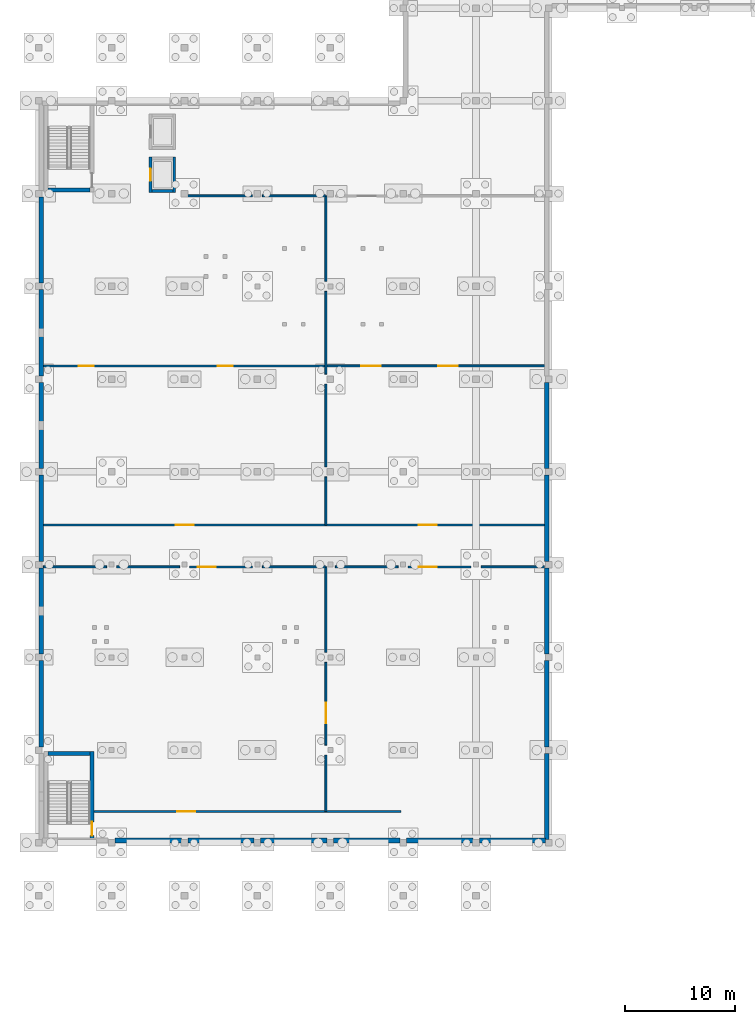
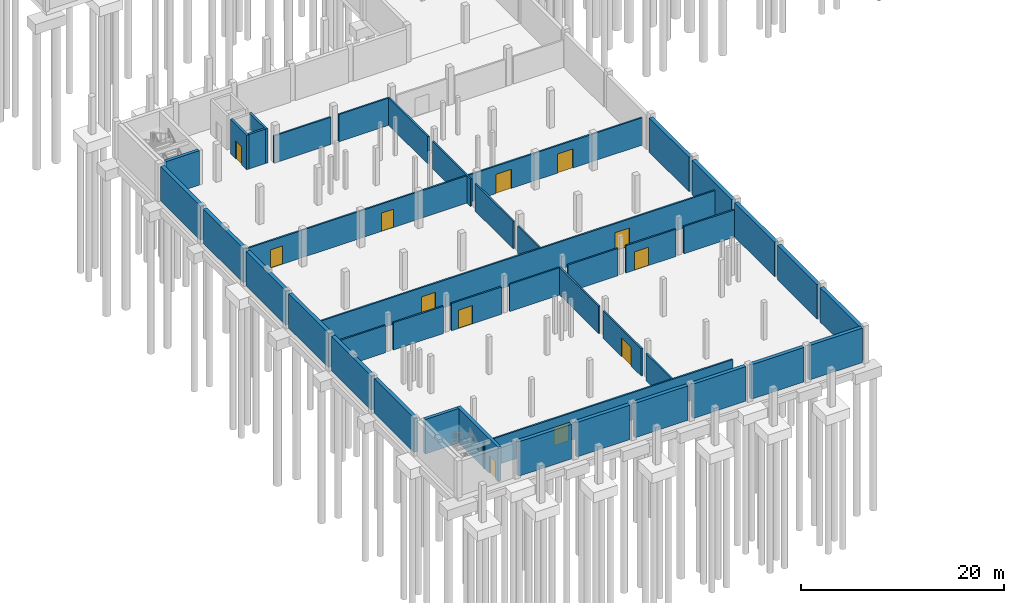
# One storey, part 13 of 25: 43 walls, 12 doors, 12 openings.
"""IFC4 building model written with IfcOpenShell, lengths in metres."""

from ifc_helpers import new_model, si_unit, direction, frame, frame_2d, origin, place, context, subcontext, project, spatial, rectangle, extrude, material, layer, layer_set, type_object, element, fill, save


model = new_model("IFC4")

# Units and contexts
model_context = context("Model", 3, precision=1e-05, world=origin(), true_north=direction((0.0, 1.0)))
body_context = subcontext(model_context, "Body", "Model", "MODEL_VIEW")
ifc_project = project(units=[si_unit("LENGTHUNIT", "METRE"), si_unit("AREAUNIT", "SQUARE_METRE"), si_unit("VOLUMEUNIT", "CUBIC_METRE"), si_unit("PLANEANGLEUNIT", "RADIAN"), si_unit("MASSUNIT", "GRAM", prefix="KILO")], contexts=[model_context])

# Site, building, storey
site_placement = place(None, origin())
site = spatial("IfcSite", under=ifc_project, at=site_placement, CompositionType="ELEMENT")
building_placement = place(site_placement, origin())
building = spatial("IfcBuilding", under=site, at=building_placement, Name="Qaldarim Faculty of Natural and Applied Sciences", CompositionType="ELEMENT")
storey_placement = place(building_placement, frame((0.0, 0.0, -4.5)))
storey = spatial("IfcBuildingStorey", under=building, at=storey_placement, Name="B01", CompositionType="ELEMENT", Elevation=-4.5)

# Walls
ifc_material_1 = material(Name="Concrete C40/50", Category="concrete")
ifc_layer_1 = layer(ifc_material_1, 0.419921875)
ifc_layer_set_1 = layer_set([ifc_layer_1], Name="Concrete C40/50")
wall_type_1 = type_object("IfcWallType", Name="BasementRetainingWall-420", PredefinedType="SOLIDWALL", material=ifc_layer_set_1)
wall_1_placement = place(storey_placement, frame((0.2099609375, 33.304931640625, 0.0), z_axis=(0.0, 0.0, 1.0), x_axis=(0.0, -1.0, 0.0)))
element("IfcWall", 1, at=wall_1_placement, inside=storey, type_object=wall_type_1, Name="Basement retaining wall W X01Y04", PredefinedType="SOLIDWALL", context=body_context, shape_type="SweptSolid", body=[
    extrude(rectangle(XDim=7.809814453125, YDim=0.419921875, at=frame_2d((3.90478515625, 0.0))), origin(), (0.0, 0.0, 1.0), 4.139892578125),
])
for number, where, z_axis, x_axis, name in (
    (2, (0.2099609375, 41.705078125, 0.0), (0.0, 0.0, 1.0), (0.0, -1.0, 0.0), "Basement retaining wall W X01Y05"),
    (3, (0.2099609375, 50.10498046875, 0.0), (0.0, 0.0, 1.0), (0.0, -1.0, 0.0), "Basement retaining wall W X01Y06"),
):
    element("IfcWall", number, at=place(storey_placement, frame(where, z_axis=z_axis, x_axis=x_axis)), inside=storey, type_object=wall_type_1, Name=name, PredefinedType="SOLIDWALL", context=body_context, shape_type="SweptSolid", body=[
        extrude(rectangle(XDim=7.81005859375, YDim=0.419921875, at=frame_2d((3.905029296875, 0.0))), origin(), (0.0, 0.0, 1.0), 4.139892578125),
    ])
wall_2_placement = place(storey_placement, frame((0.2099609375, 58.5048828125, 0.0), z_axis=(0.0, 0.0, 1.0), x_axis=(0.0, -1.0, 0.0)))
element("IfcWall", 4, at=wall_2_placement, inside=storey, type_object=wall_type_1, Name="Basement retaining wall W X01Y07", PredefinedType="SOLIDWALL", context=body_context, shape_type="SweptSolid", body=[
    extrude(rectangle(XDim=7.809814453125, YDim=0.419921875, at=frame_2d((3.90478515625, 0.0))), origin(), (0.0, 0.0, 1.0), 4.139892578125),
])
wall_3_placement = place(storey_placement, frame((0.2099609375, 66.905029296875, 0.0), z_axis=(0.0, 0.0, 1.0), x_axis=(0.0, -1.0, 0.0)))
element("IfcWall", 5, at=wall_3_placement, inside=storey, type_object=wall_type_1, Name="Basement retaining wall W X01Y08", PredefinedType="SOLIDWALL", context=body_context, shape_type="SweptSolid", body=[
    extrude(rectangle(XDim=7.81005859375, YDim=0.419921875, at=frame_2d((3.905029296875, 0.0))), origin(), (0.0, 0.0, 1.0), 4.139892578125),
])
wall_4_placement = place(storey_placement, frame((0.2099609375, 75.304931640625, 0.0), z_axis=(0.0, 0.0, 1.0), x_axis=(0.0, -1.0, 0.0)))
element("IfcWall", 6, at=wall_4_placement, inside=storey, type_object=wall_type_1, Name="Basement retaining wall W X01Y09", PredefinedType="SOLIDWALL", context=body_context, shape_type="SweptSolid", body=[
    extrude(rectangle(XDim=7.809814453125, YDim=0.419921875, at=frame_2d((3.90478515625, 0.0))), origin(), (0.0, 0.0, 1.0), 4.139892578125),
])
wall_5_placement = place(storey_placement, frame((6.89501953125, 17.010009765625, 0.0), z_axis=(0.0, 0.0, 1.0), x_axis=(1.0, 0.0, 0.0)))
element("IfcWall", 7, at=wall_5_placement, inside=storey, type_object=wall_type_1, Name="Basement retaining wall S X02Y03", PredefinedType="SOLIDWALL", context=body_context, shape_type="SweptSolid", body=[
    extrude(rectangle(XDim=6.010009765625, YDim=0.419921875, at=frame_2d((3.0048828125, 0.0))), origin(), (0.0, 0.0, 1.0), 4.139892578125),
])
wall_6_placement = place(storey_placement, frame((13.4951171875, 17.010009765625, 0.0), z_axis=(0.0, 0.0, 1.0), x_axis=(1.0, 0.0, 0.0)))
element("IfcWall", 8, at=wall_6_placement, inside=storey, type_object=wall_type_1, Name="Basement retaining wall S X03Y03", PredefinedType="SOLIDWALL", context=body_context, shape_type="SweptSolid", body=[
    extrude(rectangle(XDim=6.009765625, YDim=0.419921875, at=frame_2d((3.0048828125, 0.0))), origin(), (0.0, 0.0, 1.0), 4.139892578125),
])
for number, where, z_axis, x_axis, name in (
    (9, (20.094970703125, 17.010009765625, 0.0), (0.0, 0.0, 1.0), (1.0, 0.0, 0.0), "Basement retaining wall S X04Y03"),
    (10, (26.695068359375, 17.010009765625, 0.0), (0.0, 0.0, 1.0), (1.0, 0.0, 0.0), "Basement retaining wall S X05Y03"),
    (11, (33.294921875, 17.010009765625, 0.0), (0.0, 0.0, 1.0), (1.0, 0.0, 0.0), "Basement retaining wall S X06Y03"),
    (12, (39.89501953125, 17.010009765625, 0.0), (0.0, 0.0, 1.0), (1.0, 0.0, 0.0), "Basement retaining wall S X07Y03"),
):
    element("IfcWall", number, at=place(storey_placement, frame(where, z_axis=z_axis, x_axis=x_axis)), inside=storey, type_object=wall_type_1, Name=name, PredefinedType="SOLIDWALL", context=body_context, shape_type="SweptSolid", body=[
        extrude(rectangle(XDim=6.010009765625, YDim=0.419921875, at=frame_2d((3.0048828125, 0.0))), origin(), (0.0, 0.0, 1.0), 4.139892578125),
    ])
wall_7_placement = place(storey_placement, frame((45.989990234375, 17.094970703125, 0.0), z_axis=(0.0, 0.0, 1.0), x_axis=(0.0, 1.0, 0.0)))
element("IfcWall", 13, at=wall_7_placement, inside=storey, type_object=wall_type_1, Name="Basement retaining wall E X07Y03", PredefinedType="SOLIDWALL", context=body_context, shape_type="SweptSolid", body=[
    extrude(rectangle(XDim=7.81005859375, YDim=0.419921875, at=frame_2d((3.905029296875, 0.0))), origin(), (0.0, 0.0, 1.0), 4.139892578125),
])
wall_8_placement = place(storey_placement, frame((45.989990234375, 25.4951171875, 0.0), z_axis=(0.0, 0.0, 1.0), x_axis=(0.0, 1.0, 0.0)))
element("IfcWall", 14, at=wall_8_placement, inside=storey, type_object=wall_type_1, Name="Basement retaining wall E X07Y04", PredefinedType="SOLIDWALL", context=body_context, shape_type="SweptSolid", body=[
    extrude(rectangle(XDim=7.809814453125, YDim=0.419921875, at=frame_2d((3.90478515625, 0.0))), origin(), (0.0, 0.0, 1.0), 4.139892578125),
])
for number, where, z_axis, x_axis, name in (
    (15, (45.989990234375, 33.89501953125, 0.0), (0.0, 0.0, 1.0), (0.0, 1.0, 0.0), "Basement retaining wall E X07Y05"),
    (16, (45.989990234375, 42.294921875, 0.0), (0.0, 0.0, 1.0), (0.0, 1.0, 0.0), "Basement retaining wall E X07Y06"),
):
    element("IfcWall", number, at=place(storey_placement, frame(where, z_axis=z_axis, x_axis=x_axis)), inside=storey, type_object=wall_type_1, Name=name, PredefinedType="SOLIDWALL", context=body_context, shape_type="SweptSolid", body=[
        extrude(rectangle(XDim=7.81005859375, YDim=0.419921875, at=frame_2d((3.905029296875, 0.0))), origin(), (0.0, 0.0, 1.0), 4.139892578125),
    ])
wall_9_placement = place(storey_placement, frame((45.989990234375, 50.695068359375, 0.0), z_axis=(0.0, 0.0, 1.0), x_axis=(0.0, 1.0, 0.0)))
element("IfcWall", 17, at=wall_9_placement, inside=storey, type_object=wall_type_1, Name="Basement retaining wall E X07Y07", PredefinedType="SOLIDWALL", context=body_context, shape_type="SweptSolid", body=[
    extrude(rectangle(XDim=7.809814453125, YDim=0.419921875, at=frame_2d((3.90478515625, 0.0))), origin(), (0.0, 0.0, 1.0), 4.139892578125),
])

# Wall, opening, door
ifc_material_2 = material(Name="Concrete C50/60", Category="concrete")
ifc_layer_2 = layer(ifc_material_2, 0.360107421875)
ifc_layer_set_2 = layer_set([ifc_layer_2], Name="Concrete C50/60")
wall_type_2 = type_object("IfcWallType", Name="CoreShearWall-360", PredefinedType="SHEAR", material=ifc_layer_set_2)
wall_10_placement = place(storey_placement, frame((4.830078125, 17.010009765625, 0.0), z_axis=(0.0, 0.0, 1.0), x_axis=(0.0, 1.0, 0.0)))
wall_10 = element("IfcWall", 18, at=wall_10_placement, inside=storey, type_object=wall_type_2, Name="Core stair ST-D1 east shear wall B01", PredefinedType="SHEAR", context=body_context, shape_type="SweptSolid", body=[
    extrude(rectangle(XDim=8.050048828125, YDim=0.360107421875, at=frame_2d((4.02490234375, 0.0))), origin(), (0.0, 0.0, 1.0), 4.139892578125),
])
opening_1_placement = place(wall_10_placement, frame((0.449951171875, 0.0, 0.0)))
opening_1 = element("IfcOpeningElement", 19, at=opening_1_placement, cuts=wall_10, Name="Opening ID04", PredefinedType="OPENING", context=body_context, shape_type="SweptSolid", body=[
    extrude(rectangle(XDim=1.25, YDim=2.14990234375, at=frame_2d((0.625, 1.074951171875))), frame((0.0, 0.18994140625, 0.0), z_axis=(0.0, -1.0, 0.0), x_axis=(1.0, 0.0, 0.0)), (0.0, 0.0, 1.0), 0.380126953125),
])
ifc_material_3 = material(Name="Architectural stainless steel 316", Category="steel")
door_type_1 = type_object("IfcDoorType", Name="StairEnclosureFireDoor-1250x2150", OperationType="NOTDEFINED", PredefinedType="DOOR", material=ifc_material_3)
door_1_placement = place(opening_1_placement, origin())
door_1 = element("IfcDoor", 20, at=door_1_placement, inside=storey, type_object=door_type_1, Name="Protected stair ST-D1 fire door D-B01-548", OperationType="SINGLE_SWING_LEFT", OverallHeight=2.14990234375, OverallWidth=1.25, PredefinedType="DOOR", context=body_context, shape_type="SweptSolid", body=[
    extrude(rectangle(XDim=1.25, YDim=2.14990234375, at=frame_2d((0.625, 1.074951171875))), frame((0.0, 0.02490234375, 0.0), z_axis=(0.0, -1.0, 0.0), x_axis=(1.0, 0.0, 0.0)), (0.0, 0.0, 1.0), 0.050048828125),
])
fill(opening_1, door_1)

# Walls
for number, where, z_axis, x_axis, name in (
    (21, (0.85009765625, 24.8798828125, 0.0), (0.0, 0.0, 1.0), (1.0, 0.0, 0.0), "Core stair ST-D1 north shear wall B01"),
    (22, (0.85009765625, 75.919921875, 0.0), (0.0, 0.0, 1.0), (1.0, 0.0, 0.0), "Core stair ST-D2 south shear wall B01"),
):
    element("IfcWall", number, at=place(storey_placement, frame(where, z_axis=z_axis, x_axis=x_axis)), inside=storey, type_object=wall_type_2, Name=name, PredefinedType="SHEAR", context=body_context, shape_type="SweptSolid", body=[
        extrude(rectangle(XDim=3.7998046875, YDim=0.360107421875, at=frame_2d((1.89990234375, 0.0))), origin(), (0.0, 0.0, 1.0), 4.139892578125),
    ])

# Wall, opening, door
ifc_layer_3 = layer(ifc_material_1, 0.179931640625)
ifc_layer_set_3 = layer_set([ifc_layer_3], Name="Concrete C40/50")
wall_type_3 = type_object("IfcWallType", Name="LabFireCompartmentWall-180", PredefinedType="SOLIDWALL", material=ifc_layer_set_3)
wall_11_placement = place(storey_placement, frame((4.550048828125, 19.64990234375, 0.0), z_axis=(0.0, 0.0, 1.0), x_axis=(1.0, 0.0, 0.0)))
wall_11 = element("IfcWall", 23, at=wall_11_placement, inside=storey, type_object=wall_type_3, Name="Interior partition PRT-B01-V1B-CAL", PredefinedType="SOLIDWALL", context=body_context, shape_type="SweptSolid", body=[
    extrude(rectangle(XDim=28.25, YDim=0.179931640625, at=frame_2d((14.125, 0.0))), origin(), (0.0, 0.0, 1.0), 3.2900390625),
])
opening_2_placement = place(wall_11_placement, frame((8.0, 0.0, 0.0)))
opening_2 = element("IfcOpeningElement", 24, at=opening_2_placement, cuts=wall_11, Name="Opening ID06", PredefinedType="OPENING", context=body_context, shape_type="SweptSolid", body=[
    extrude(rectangle(XDim=1.60009765625, YDim=2.199951171875, at=frame_2d((0.800048828125, 1.10009765625))), frame((0.0, 0.099853515625, 0.0), z_axis=(0.0, -1.0, 0.0), x_axis=(1.0, 0.0, 0.0)), (0.0, 0.0, 1.0), 0.199951171875),
])
door_type_2 = type_object("IfcDoorType", Name="LabEquipmentDoubleDoor-1600x2200", OperationType="NOTDEFINED", PredefinedType="DOOR", material=ifc_material_3)
door_2_placement = place(opening_2_placement, origin())
door_2 = element("IfcDoor", 25, at=door_2_placement, inside=storey, type_object=door_type_2, Name="Interior door D-B01-149", OperationType="DOUBLE_DOOR_SINGLE_SWING", OverallHeight=2.199951171875, OverallWidth=1.60009765625, PredefinedType="DOOR", context=body_context, shape_type="SweptSolid", body=[
    extrude(rectangle(XDim=1.60009765625, YDim=2.199951171875, at=frame_2d((0.800048828125, 1.10009765625))), frame((0.0, 0.02490234375, 0.0), z_axis=(0.0, -1.0, 0.0), x_axis=(1.0, 0.0, 0.0)), (0.0, 0.0, 1.0), 0.050048828125),
])
fill(opening_2, door_2)

# Walls
wall_12_placement = place(storey_placement, frame((0.419921875, 41.800048828125, 0.0), z_axis=(0.0, 0.0, 1.0), x_axis=(1.0, 0.0, 0.0)))
element("IfcWall", 26, at=wall_12_placement, inside=storey, type_object=wall_type_3, Name="Interior partition PRT-B01-V1B-N-S1", PredefinedType="SOLIDWALL", context=body_context, shape_type="SweptSolid", body=[
    extrude(rectangle(XDim=5.72998046875, YDim=0.179931640625, at=frame_2d((2.864990234375, 0.0))), origin(), (0.0, 0.0, 1.0), 3.27490234375),
])
wall_13_placement = place(storey_placement, frame((7.050048828125, 41.800048828125, 0.0), z_axis=(0.0, 0.0, 1.0), x_axis=(1.0, 0.0, 0.0)))
element("IfcWall", 27, at=wall_13_placement, inside=storey, type_object=wall_type_3, Name="Interior partition PRT-B01-V1B-N-S2", PredefinedType="SOLIDWALL", context=body_context, shape_type="SweptSolid", body=[
    extrude(rectangle(XDim=5.699951171875, YDim=0.179931640625, at=frame_2d((2.85009765625, 0.0))), origin(), (0.0, 0.0, 1.0), 3.27490234375),
])

# Wall, opening, door
wall_14_placement = place(storey_placement, frame((13.64990234375, 41.800048828125, 0.0), z_axis=(0.0, 0.0, 1.0), x_axis=(1.0, 0.0, 0.0)))
wall_14 = element("IfcWall", 28, at=wall_14_placement, inside=storey, type_object=wall_type_3, Name="Interior partition PRT-B01-V1B-N-S3", PredefinedType="SOLIDWALL", context=body_context, shape_type="SweptSolid", body=[
    extrude(rectangle(XDim=5.7001953125, YDim=0.179931640625, at=frame_2d((2.85009765625, 0.0))), origin(), (0.0, 0.0, 1.0), 3.27490234375),
])
opening_3_placement = place(wall_14_placement, frame((0.77001953125, 0.0, 0.0)))
opening_3 = element("IfcOpeningElement", 29, at=opening_3_placement, cuts=wall_14, Name="Opening ID06", PredefinedType="OPENING", context=body_context, shape_type="SweptSolid", body=[
    extrude(rectangle(XDim=1.60009765625, YDim=2.199951171875, at=frame_2d((0.800048828125, 1.10009765625))), frame((0.0, 0.099853515625, 0.0), z_axis=(0.0, -1.0, 0.0), x_axis=(1.0, 0.0, 0.0)), (0.0, 0.0, 1.0), 0.199951171875),
])
door_3_placement = place(opening_3_placement, origin())
door_3 = element("IfcDoor", 30, at=door_3_placement, inside=storey, type_object=door_type_2, Name="Interior door D-B01-150", OperationType="DOUBLE_DOOR_SINGLE_SWING", OverallHeight=2.199951171875, OverallWidth=1.60009765625, PredefinedType="DOOR", context=body_context, shape_type="SweptSolid", body=[
    extrude(rectangle(XDim=1.60009765625, YDim=2.199951171875, at=frame_2d((0.800048828125, 1.10009765625))), frame((0.0, 0.02490234375, 0.0), z_axis=(0.0, -1.0, 0.0), x_axis=(1.0, 0.0, 0.0)), (0.0, 0.0, 1.0), 0.050048828125),
])
fill(opening_3, door_3)

# Walls
for number, where, z_axis, x_axis, name in (
    (31, (20.25, 41.800048828125, 0.0), (0.0, 0.0, 1.0), (1.0, 0.0, 0.0), "Interior partition PRT-B01-V1B-N-S4"),
    (32, (26.85009765625, 41.800048828125, 0.0), (0.0, 0.0, 1.0), (1.0, 0.0, 0.0), "Interior partition PRT-B01-V1B-N-S5"),
):
    element("IfcWall", number, at=place(storey_placement, frame(where, z_axis=z_axis, x_axis=x_axis)), inside=storey, type_object=wall_type_3, Name=name, PredefinedType="SOLIDWALL", context=body_context, shape_type="SweptSolid", body=[
        extrude(rectangle(XDim=5.699951171875, YDim=0.179931640625, at=frame_2d((2.85009765625, 0.0))), origin(), (0.0, 0.0, 1.0), 3.27490234375),
    ])

# Wall, opening, door
wall_15_placement = place(storey_placement, frame((33.449951171875, 41.800048828125, 0.0), z_axis=(0.0, 0.0, 1.0), x_axis=(1.0, 0.0, 0.0)))
wall_15 = element("IfcWall", 33, at=wall_15_placement, inside=storey, type_object=wall_type_3, Name="Interior partition PRT-B01-V1B-N-S6", PredefinedType="SOLIDWALL", context=body_context, shape_type="SweptSolid", body=[
    extrude(rectangle(XDim=5.699951171875, YDim=0.179931640625, at=frame_2d((2.85009765625, 0.0))), origin(), (0.0, 0.0, 1.0), 3.27490234375),
])
opening_4_placement = place(wall_15_placement, frame((0.969970703125, 0.0, 0.0)))
opening_4 = element("IfcOpeningElement", 34, at=opening_4_placement, cuts=wall_15, Name="Opening ID06", PredefinedType="OPENING", context=body_context, shape_type="SweptSolid", body=[
    extrude(rectangle(XDim=1.60009765625, YDim=2.199951171875, at=frame_2d((0.800048828125, 1.10009765625))), frame((0.0, 0.099853515625, 0.0), z_axis=(0.0, -1.0, 0.0), x_axis=(1.0, 0.0, 0.0)), (0.0, 0.0, 1.0), 0.199951171875),
])
door_4_placement = place(opening_4_placement, origin())
door_4 = element("IfcDoor", 35, at=door_4_placement, inside=storey, type_object=door_type_2, Name="Interior door D-B01-151", OperationType="DOUBLE_DOOR_SINGLE_SWING", OverallHeight=2.199951171875, OverallWidth=1.60009765625, PredefinedType="DOOR", context=body_context, shape_type="SweptSolid", body=[
    extrude(rectangle(XDim=1.60009765625, YDim=2.199951171875, at=frame_2d((0.800048828125, 1.10009765625))), frame((0.0, 0.02490234375, 0.0), z_axis=(0.0, -1.0, 0.0), x_axis=(1.0, 0.0, 0.0)), (0.0, 0.0, 1.0), 0.050048828125),
])
fill(opening_4, door_4)

# Walls
wall_16_placement = place(storey_placement, frame((40.050048828125, 41.800048828125, 0.0), z_axis=(0.0, 0.0, 1.0), x_axis=(1.0, 0.0, 0.0)))
element("IfcWall", 36, at=wall_16_placement, inside=storey, type_object=wall_type_3, Name="Interior partition PRT-B01-V1B-N-S7", PredefinedType="SOLIDWALL", context=body_context, shape_type="SweptSolid", body=[
    extrude(rectangle(XDim=5.72998046875, YDim=0.179931640625, at=frame_2d((2.864990234375, 0.0))), origin(), (0.0, 0.0, 1.0), 3.27490234375),
])
wall_17_placement = place(storey_placement, frame((26.0, 19.64990234375, 0.0), z_axis=(0.0, 0.0, 1.0), x_axis=(0.0, 1.0, 0.0)))
element("IfcWall", 37, at=wall_17_placement, inside=storey, type_object=wall_type_3, Name="Interior partition PRT-B01-V1B-MID-S1", PredefinedType="SOLIDWALL", context=body_context, shape_type="SweptSolid", body=[
    extrude(rectangle(XDim=5.10009765625, YDim=0.179931640625, at=frame_2d((2.550048828125, 0.0))), origin(), (0.0, 0.0, 1.0), 3.2900390625),
])

# Wall, opening, door
wall_18_placement = place(storey_placement, frame((26.0, 25.64990234375, 0.0), z_axis=(0.0, 0.0, 1.0), x_axis=(0.0, 1.0, 0.0)))
wall_18 = element("IfcWall", 38, at=wall_18_placement, inside=storey, type_object=wall_type_3, Name="Interior partition PRT-B01-V1B-MID-S2", PredefinedType="SOLIDWALL", context=body_context, shape_type="SweptSolid", body=[
    extrude(rectangle(XDim=7.5, YDim=0.179931640625, at=frame_2d((3.75, 0.0))), origin(), (0.0, 0.0, 1.0), 3.2900390625),
])
opening_5_placement = place(wall_18_placement, frame((2.0, 0.0, 0.0)))
opening_5 = element("IfcOpeningElement", 39, at=opening_5_placement, cuts=wall_18, Name="Opening ID05", PredefinedType="OPENING", context=body_context, shape_type="SweptSolid", body=[
    extrude(rectangle(XDim=1.85009765625, YDim=2.25, at=frame_2d((0.925048828125, 1.125))), frame((0.0, 0.099853515625, 0.0), z_axis=(0.0, -1.0, 0.0), x_axis=(1.0, 0.0, 0.0)), (0.0, 0.0, 1.0), 0.199951171875),
])
ifc_material_4 = material(Name="Oak hardwood", Category="wood")
door_type_3 = type_object("IfcDoorType", Name="LectureDoubleDoor-1850x2250", OperationType="NOTDEFINED", PredefinedType="DOOR", material=ifc_material_4)
door_5_placement = place(opening_5_placement, origin())
door_5 = element("IfcDoor", 40, at=door_5_placement, inside=storey, type_object=door_type_3, Name="Interior door D-B01-152", OperationType="DOUBLE_DOOR_SINGLE_SWING", OverallHeight=2.25, OverallWidth=1.85009765625, PredefinedType="DOOR", context=body_context, shape_type="SweptSolid", body=[
    extrude(rectangle(XDim=1.85009765625, YDim=2.25, at=frame_2d((0.925048828125, 1.125))), frame((0.0, 0.02490234375, 0.0), z_axis=(0.0, -1.0, 0.0), x_axis=(1.0, 0.0, 0.0)), (0.0, 0.0, 1.0), 0.050048828125),
])
fill(opening_5, door_5)

# Wall
wall_19_placement = place(storey_placement, frame((26.0, 34.050048828125, 0.0), z_axis=(0.0, 0.0, 1.0), x_axis=(0.0, 1.0, 0.0)))
element("IfcWall", 41, at=wall_19_placement, inside=storey, type_object=wall_type_3, Name="Interior partition PRT-B01-V1B-MID-S3", PredefinedType="SOLIDWALL", context=body_context, shape_type="SweptSolid", body=[
    extrude(rectangle(XDim=7.75, YDim=0.179931640625, at=frame_2d((3.875, 0.0))), origin(), (0.0, 0.0, 1.0), 3.2900390625),
])

# Wall, openings, doors
wall_20_placement = place(storey_placement, frame((0.419921875, 45.60009765625, 0.0), z_axis=(0.0, 0.0, 1.0), x_axis=(1.0, 0.0, 0.0)))
wall_20 = element("IfcWall", 42, at=wall_20_placement, inside=storey, type_object=wall_type_3, Name="Interior partition PRT-B01-V2B-S", PredefinedType="SOLIDWALL", context=body_context, shape_type="SweptSolid", body=[
    extrude(rectangle(XDim=45.360107421875, YDim=0.179931640625, at=frame_2d((22.68017578125, 0.0))), origin(), (0.0, 0.0, 1.0), 3.2900390625),
])
opening_6_placement = place(wall_20_placement, frame((12.0, 0.0, 0.0)))
opening_6 = element("IfcOpeningElement", 43, at=opening_6_placement, cuts=wall_20, Name="Opening ID06", PredefinedType="OPENING", context=body_context, shape_type="SweptSolid", body=[
    extrude(rectangle(XDim=1.60009765625, YDim=2.199951171875, at=frame_2d((0.800048828125, 1.10009765625))), frame((0.0, 0.099853515625, 0.0), z_axis=(0.0, -1.0, 0.0), x_axis=(1.0, 0.0, 0.0)), (0.0, 0.0, 1.0), 0.199951171875),
])
opening_7_placement = place(wall_20_placement, frame((34.0, 0.0, 0.0)))
opening_7 = element("IfcOpeningElement", 44, at=opening_7_placement, cuts=wall_20, Name="Opening ID06", PredefinedType="OPENING", context=body_context, shape_type="SweptSolid", body=[
    extrude(rectangle(XDim=1.60009765625, YDim=2.199951171875, at=frame_2d((0.800048828125, 1.10009765625))), frame((0.0, 0.099853515625, 0.0), z_axis=(0.0, -1.0, 0.0), x_axis=(1.0, 0.0, 0.0)), (0.0, 0.0, 1.0), 0.199951171875),
])
door_6_placement = place(opening_6_placement, origin())
door_6 = element("IfcDoor", 45, at=door_6_placement, inside=storey, type_object=door_type_2, Name="Interior door D-B01-153", OperationType="DOUBLE_DOOR_SINGLE_SWING", OverallHeight=2.199951171875, OverallWidth=1.60009765625, PredefinedType="DOOR", context=body_context, shape_type="SweptSolid", body=[
    extrude(rectangle(XDim=1.60009765625, YDim=2.199951171875, at=frame_2d((0.800048828125, 1.10009765625))), frame((0.0, 0.02490234375, 0.0), z_axis=(0.0, -1.0, 0.0), x_axis=(1.0, 0.0, 0.0)), (0.0, 0.0, 1.0), 0.050048828125),
])
fill(opening_6, door_6)
door_7_placement = place(opening_7_placement, origin())
door_7 = element("IfcDoor", 46, at=door_7_placement, inside=storey, type_object=door_type_2, Name="Interior door D-B01-154", OperationType="DOUBLE_DOOR_SINGLE_SWING", OverallHeight=2.199951171875, OverallWidth=1.60009765625, PredefinedType="DOOR", context=body_context, shape_type="SweptSolid", body=[
    extrude(rectangle(XDim=1.60009765625, YDim=2.199951171875, at=frame_2d((0.800048828125, 1.10009765625))), frame((0.0, 0.02490234375, 0.0), z_axis=(0.0, -1.0, 0.0), x_axis=(1.0, 0.0, 0.0)), (0.0, 0.0, 1.0), 0.050048828125),
])
fill(opening_7, door_7)

# Walls
wall_21_placement = place(storey_placement, frame((26.0, 45.60009765625, 0.0), z_axis=(0.0, 0.0, 1.0), x_axis=(0.0, 1.0, 0.0)))
element("IfcWall", 47, at=wall_21_placement, inside=storey, type_object=wall_type_3, Name="Interior partition PRT-B01-V2B-MID-S1", PredefinedType="SOLIDWALL", context=body_context, shape_type="SweptSolid", body=[
    extrude(rectangle(XDim=4.349853515625, YDim=0.179931640625, at=frame_2d((2.1748046875, 0.0))), origin(), (0.0, 0.0, 1.0), 3.2900390625),
])
for number, where, z_axis, x_axis, name in (
    (48, (26.0, 50.85009765625, 0.0), (0.0, 0.0, 1.0), (0.0, 1.0, 0.0), "Interior partition PRT-B01-V2B-MID-S2"),
    (49, (26.0, 59.25, 0.0), (0.0, 0.0, 1.0), (0.0, 1.0, 0.0), "Interior partition PRT-B01-V2B-MID-S3"),
):
    element("IfcWall", number, at=place(storey_placement, frame(where, z_axis=z_axis, x_axis=x_axis)), inside=storey, type_object=wall_type_3, Name=name, PredefinedType="SOLIDWALL", context=body_context, shape_type="SweptSolid", body=[
        extrude(rectangle(XDim=7.5, YDim=0.179931640625, at=frame_2d((3.75, 0.0))), origin(), (0.0, 0.0, 1.0), 3.2900390625),
    ])
wall_22_placement = place(storey_placement, frame((26.0, 67.64990234375, 0.0), z_axis=(0.0, 0.0, 1.0), x_axis=(0.0, 1.0, 0.0)))
element("IfcWall", 50, at=wall_22_placement, inside=storey, type_object=wall_type_3, Name="Interior partition PRT-B01-V2B-MID-S4", PredefinedType="SOLIDWALL", context=body_context, shape_type="SweptSolid", body=[
    extrude(rectangle(XDim=7.75, YDim=0.179931640625, at=frame_2d((3.875, 0.0))), origin(), (0.0, 0.0, 1.0), 3.2900390625),
])
wall_23_placement = place(storey_placement, frame((12.89990234375, 75.39990234375, 0.0), z_axis=(0.0, 0.0, 1.0), x_axis=(1.0, 0.0, 0.0)))
element("IfcWall", 51, at=wall_23_placement, inside=storey, type_object=wall_type_3, Name="Interior partition PRT-B01-V2B-N-S1", PredefinedType="SOLIDWALL", context=body_context, shape_type="SweptSolid", body=[
    extrude(rectangle(XDim=6.4501953125, YDim=0.179931640625, at=frame_2d((3.22509765625, 0.0))), origin(), (0.0, 0.0, 1.0), 3.27490234375),
])
wall_24_placement = place(storey_placement, frame((20.25, 75.39990234375, 0.0), z_axis=(0.0, 0.0, 1.0), x_axis=(1.0, 0.0, 0.0)))
element("IfcWall", 52, at=wall_24_placement, inside=storey, type_object=wall_type_3, Name="Interior partition PRT-B01-V2B-N-S2", PredefinedType="SOLIDWALL", context=body_context, shape_type="SweptSolid", body=[
    extrude(rectangle(XDim=5.699951171875, YDim=0.179931640625, at=frame_2d((2.85009765625, 0.0))), origin(), (0.0, 0.0, 1.0), 3.27490234375),
])

# Wall, openings, doors
wall_25_placement = place(storey_placement, frame((0.419921875, 60.0, 0.0), z_axis=(0.0, 0.0, 1.0), x_axis=(1.0, 0.0, 0.0)))
wall_25 = element("IfcWall", 53, at=wall_25_placement, inside=storey, type_object=wall_type_3, Name="Interior partition PRT-B01-B01-ARCD", PredefinedType="SOLIDWALL", context=body_context, shape_type="SweptSolid", body=[
    extrude(rectangle(XDim=25.580078125, YDim=0.179931640625, at=frame_2d((12.7900390625, 0.0))), origin(), (0.0, 0.0, 1.0), 3.2900390625),
])
opening_8_placement = place(wall_25_placement, frame((3.199951171875, 0.0, 0.0)))
opening_8 = element("IfcOpeningElement", 54, at=opening_8_placement, cuts=wall_25, Name="Opening ID10", PredefinedType="OPENING", context=body_context, shape_type="SweptSolid", body=[
    extrude(rectangle(XDim=1.35009765625, YDim=2.199951171875, at=frame_2d((0.675048828125, 1.10009765625))), frame((0.0, 0.099853515625, 0.0), z_axis=(0.0, -1.0, 0.0), x_axis=(1.0, 0.0, 0.0)), (0.0, 0.0, 1.0), 0.199951171875),
])
opening_9_placement = place(wall_25_placement, frame((15.800048828125, 0.0, 0.0)))
opening_9 = element("IfcOpeningElement", 55, at=opening_9_placement, cuts=wall_25, Name="Opening ID10", PredefinedType="OPENING", context=body_context, shape_type="SweptSolid", body=[
    extrude(rectangle(XDim=1.35009765625, YDim=2.199951171875, at=frame_2d((0.675048828125, 1.10009765625))), frame((0.0, 0.099853515625, 0.0), z_axis=(0.0, -1.0, 0.0), x_axis=(1.0, 0.0, 0.0)), (0.0, 0.0, 1.0), 0.199951171875),
])
door_type_4 = type_object("IfcDoorType", Name="ArchiveVaultDoor-1350x2200", OperationType="NOTDEFINED", PredefinedType="DOOR", material=ifc_material_3)
door_8_placement = place(opening_8_placement, origin())
door_8 = element("IfcDoor", 56, at=door_8_placement, inside=storey, type_object=door_type_4, Name="Interior door D-B01-296", OperationType="SINGLE_SWING_LEFT", OverallHeight=2.199951171875, OverallWidth=1.35009765625, PredefinedType="DOOR", context=body_context, shape_type="SweptSolid", body=[
    extrude(rectangle(XDim=1.35009765625, YDim=2.199951171875, at=frame_2d((0.675048828125, 1.10009765625))), frame((0.0, 0.02490234375, 0.0), z_axis=(0.0, -1.0, 0.0), x_axis=(1.0, 0.0, 0.0)), (0.0, 0.0, 1.0), 0.050048828125),
])
fill(opening_8, door_8)
door_9_placement = place(opening_9_placement, origin())
door_9 = element("IfcDoor", 57, at=door_9_placement, inside=storey, type_object=door_type_4, Name="Interior door D-B01-297", OperationType="SINGLE_SWING_RIGHT", OverallHeight=2.199951171875, OverallWidth=1.35009765625, PredefinedType="DOOR", context=body_context, shape_type="SweptSolid", body=[
    extrude(rectangle(XDim=1.35009765625, YDim=2.199951171875, at=frame_2d((0.675048828125, 1.10009765625))), frame((0.0, 0.02490234375, 0.0), z_axis=(0.0, -1.0, 0.0), x_axis=(1.0, 0.0, 0.0)), (0.0, 0.0, 1.0), 0.050048828125),
])
fill(opening_9, door_9)

wall_26_placement = place(storey_placement, frame((26.0, 60.0, 0.0), z_axis=(0.0, 0.0, 1.0), x_axis=(1.0, 0.0, 0.0)))
wall_26 = element("IfcWall", 58, at=wall_26_placement, inside=storey, type_object=wall_type_3, Name="Interior partition PRT-B01-B01-MEPD", PredefinedType="SOLIDWALL", context=body_context, shape_type="SweptSolid", body=[
    extrude(rectangle(XDim=19.85009765625, YDim=0.179931640625, at=frame_2d((9.925048828125, 0.0))), origin(), (0.0, 0.0, 1.0), 3.2900390625),
])
opening_10_placement = place(wall_26_placement, frame((3.199951171875, 0.0, 0.0)))
opening_10 = element("IfcOpeningElement", 59, at=opening_10_placement, cuts=wall_26, Name="Opening ID12", PredefinedType="OPENING", context=body_context, shape_type="SweptSolid", body=[
    extrude(rectangle(XDim=1.75, YDim=2.300048828125, at=frame_2d((0.875, 1.14990234375))), frame((0.0, 0.099853515625, 0.0), z_axis=(0.0, -1.0, 0.0), x_axis=(1.0, 0.0, 0.0)), (0.0, 0.0, 1.0), 0.199951171875),
])
opening_11_placement = place(wall_26_placement, frame((10.199951171875, 0.0, 0.0)))
opening_11 = element("IfcOpeningElement", 60, at=opening_11_placement, cuts=wall_26, Name="Opening ID12", PredefinedType="OPENING", context=body_context, shape_type="SweptSolid", body=[
    extrude(rectangle(XDim=1.75, YDim=2.300048828125, at=frame_2d((0.875, 1.14990234375))), frame((0.0, 0.099853515625, 0.0), z_axis=(0.0, -1.0, 0.0), x_axis=(1.0, 0.0, 0.0)), (0.0, 0.0, 1.0), 0.199951171875),
])
door_type_5 = type_object("IfcDoorType", Name="WorkshopDoubleDoor-1750x2300", OperationType="NOTDEFINED", PredefinedType="DOOR", material=ifc_material_3)
door_10_placement = place(opening_10_placement, origin())
door_10 = element("IfcDoor", 61, at=door_10_placement, inside=storey, type_object=door_type_5, Name="Interior door D-B01-298", OperationType="SINGLE_SWING_LEFT", OverallHeight=2.300048828125, OverallWidth=1.75, PredefinedType="DOOR", context=body_context, shape_type="SweptSolid", body=[
    extrude(rectangle(XDim=1.75, YDim=2.300048828125, at=frame_2d((0.875, 1.14990234375))), frame((0.0, 0.02490234375, 0.0), z_axis=(0.0, -1.0, 0.0), x_axis=(1.0, 0.0, 0.0)), (0.0, 0.0, 1.0), 0.050048828125),
])
fill(opening_10, door_10)
door_11_placement = place(opening_11_placement, origin())
door_11 = element("IfcDoor", 62, at=door_11_placement, inside=storey, type_object=door_type_5, Name="Interior door D-B01-299", OperationType="SINGLE_SWING_RIGHT", OverallHeight=2.300048828125, OverallWidth=1.75, PredefinedType="DOOR", context=body_context, shape_type="SweptSolid", body=[
    extrude(rectangle(XDim=1.75, YDim=2.300048828125, at=frame_2d((0.875, 1.14990234375))), frame((0.0, 0.02490234375, 0.0), z_axis=(0.0, -1.0, 0.0), x_axis=(1.0, 0.0, 0.0)), (0.0, 0.0, 1.0), 0.050048828125),
])
fill(opening_11, door_11)

# Wall, opening, door
ifc_layer_4 = layer(ifc_material_1, 0.25)
ifc_layer_set_4 = layer_set([ifc_layer_4], Name="Concrete C40/50")
wall_type_4 = type_object("IfcWallType", Name="LiftShaftWall-250", PredefinedType="SHEAR", material=ifc_layer_set_4)
wall_27_placement = place(storey_placement, frame((10.125, 75.699951171875, 0.0), z_axis=(0.0, 0.0, 1.0), x_axis=(0.0, 1.0, 0.0)))
wall_27 = element("IfcWall", 63, at=wall_27_placement, inside=storey, type_object=wall_type_4, Name="Lift LF-D1 front shaft wall B01", PredefinedType="SHEAR", context=body_context, shape_type="SweptSolid", body=[
    extrude(rectangle(XDim=3.199951171875, YDim=0.25, at=frame_2d((1.60009765625, 0.0))), origin(), (0.0, 0.0, 1.0), 4.139892578125),
])
opening_12_placement = place(wall_27_placement, frame((1.050048828125, 0.0, 0.0)))
opening_12 = element("IfcOpeningElement", 64, at=opening_12_placement, cuts=wall_27, Name="Opening LD01", PredefinedType="OPENING", context=body_context, shape_type="SweptSolid", body=[
    extrude(rectangle(XDim=1.10009765625, YDim=2.14990234375, at=frame_2d((0.550048828125, 1.074951171875))), frame((0.0, 0.135009765625, 0.0), z_axis=(0.0, -1.0, 0.0), x_axis=(1.0, 0.0, 0.0)), (0.0, 0.0, 1.0), 0.27001953125),
])
door_type_6 = type_object("IfcDoorType", Name="LiftLandingSlidingDoor-1100x2150", OperationType="NOTDEFINED", PredefinedType="DOOR", material=ifc_material_3)
door_12_placement = place(opening_12_placement, origin())
door_12 = element("IfcDoor", 65, at=door_12_placement, inside=storey, type_object=door_type_6, Name="Lift landing sliding door LF-D1 D-B01-662", OperationType="SLIDING_TO_LEFT", OverallHeight=2.14990234375, OverallWidth=1.10009765625, PredefinedType="DOOR", context=body_context, shape_type="SweptSolid", body=[
    extrude(rectangle(XDim=1.10009765625, YDim=2.14990234375, at=frame_2d((0.550048828125, 1.074951171875))), frame((0.0, 0.02490234375, 0.0), z_axis=(0.0, -1.0, 0.0), x_axis=(1.0, 0.0, 0.0)), (0.0, 0.0, 1.0), 0.050048828125),
])
fill(opening_12, door_12)

# Walls
wall_28_placement = place(storey_placement, frame((12.27490234375, 75.699951171875, 0.0), z_axis=(0.0, 0.0, 1.0), x_axis=(0.0, 1.0, 0.0)))
element("IfcWall", 66, at=wall_28_placement, inside=storey, type_object=wall_type_4, Name="Lift LF-D1 rear shaft wall B01", PredefinedType="SHEAR", context=body_context, shape_type="SweptSolid", body=[
    extrude(rectangle(XDim=3.199951171875, YDim=0.25, at=frame_2d((1.60009765625, 0.0))), origin(), (0.0, 0.0, 1.0), 4.139892578125),
])
wall_29_placement = place(storey_placement, frame((10.25, 75.824951171875, 0.0), z_axis=(0.0, 0.0, 1.0), x_axis=(1.0, 0.0, 0.0)))
element("IfcWall", 67, at=wall_29_placement, inside=storey, type_object=wall_type_4, Name="Lift LF-D1 south shaft wall B01", PredefinedType="SHEAR", context=body_context, shape_type="SweptSolid", body=[
    extrude(rectangle(XDim=1.89990234375, YDim=0.25, at=frame_2d((0.949951171875, 0.0))), origin(), (0.0, 0.0, 1.0), 4.139892578125),
])

save(model, "model.ifc")
